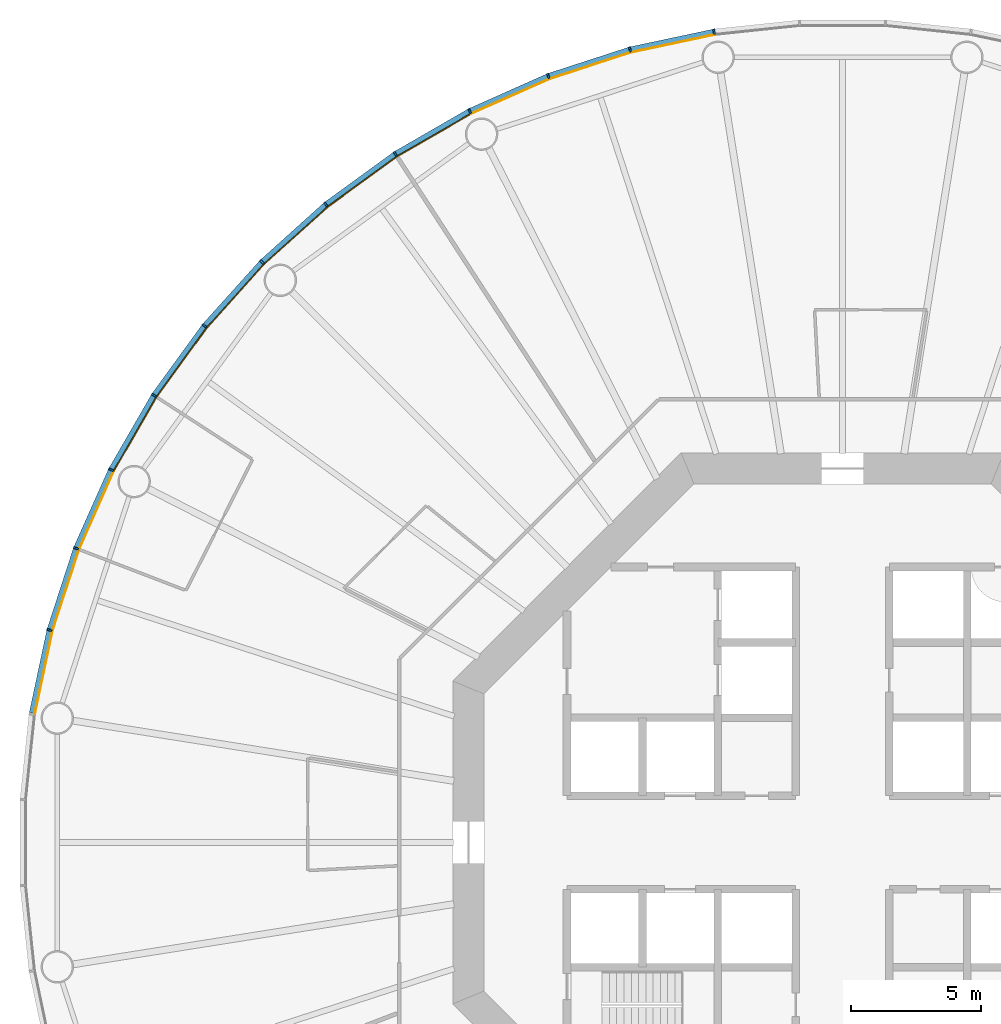
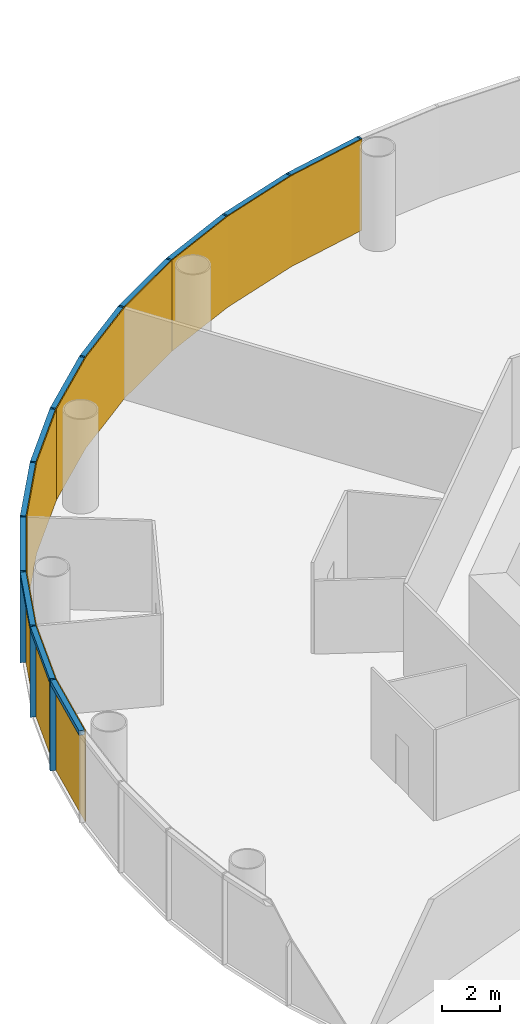
# One storey, part 10 of 13: 24 members, 4 curtain walls.
"""IFC4 building model written with IfcOpenShell, lengths in metres."""

from ifc_helpers import new_model, si_unit, direction, frame, origin, origin_2d, place, context, subcontext, project, spatial, polyline, rectangle, outline, extrude, material, layer, layer_set, material_profile, profile_set, type_object, element, aggregate, save


model = new_model("IFC4")

# Units and contexts
model_context = context("Model", 3, precision=1e-05, world=origin(), true_north=direction((0.0, 1.0)))
body_context = subcontext(model_context, "Body", "Model", "MODEL_VIEW")
ifc_project = project(units=[si_unit("LENGTHUNIT", "METRE"), si_unit("AREAUNIT", "SQUARE_METRE"), si_unit("VOLUMEUNIT", "CUBIC_METRE"), si_unit("PLANEANGLEUNIT", "RADIAN"), si_unit("MASSUNIT", "GRAM", prefix="KILO")], contexts=[model_context])

# Member
ifc_material_1 = material(Name="Anodised aluminium", Category="aluminium")
ifc_material_profile_1 = material_profile(ifc_material_1, rectangle(XDim=0.070068359375, YDim=0.199951171875, at=origin_2d()), Name="Mullion 70 x 200 mm anodised aluminium")
ifc_profile_set_1 = profile_set([ifc_material_profile_1], Name="Anodised aluminium")
member_type_1 = type_object("IfcMemberType", Name="Mullion 70 x 200 mm anodised aluminium", PredefinedType="MULLION", material=ifc_profile_set_1)
site_placement = place(None, origin())
building_placement = place(site_placement, origin())
storey_placement = place(building_placement, frame((0.0, 0.0, 104.0)))
member_1_placement = place(storey_placement, frame((85.056640625, 111.2109375, 0.0), z_axis=(0.0, 0.0, 1.0), x_axis=(-0.987688340595, -0.15643446504, 0.0)))
member_1 = element("IfcMember", 1, at=member_1_placement, type_object=member_type_1, Name="MULLION L23-15", PredefinedType="MULLION", context=body_context, shape_type="SweptSolid", body=[
    extrude(rectangle(XDim=0.070068359375, YDim=0.199951171875, at=origin_2d()), origin(), (0.0, 0.0, 1.0), 3.85009765625),
])

member_2_placement = place(storey_placement, frame((81.8212890625, 110.523193359375, 0.0), z_axis=(0.0, 0.0, 1.0), x_axis=(-0.965925826289, -0.258819045103, 0.0)))
member_2 = element("IfcMember", 2, at=member_2_placement, type_object=member_type_1, Name="MULLION L23-16", PredefinedType="MULLION", context=body_context, shape_type="SweptSolid", body=[
    extrude(rectangle(XDim=0.070068359375, YDim=0.199951171875, at=origin_2d()), origin(), (0.0, 0.0, 1.0), 3.85009765625),
])

member_3_placement = place(storey_placement, frame((78.675537109375, 109.501220703125, 0.0), z_axis=(0.0, 0.0, 1.0), x_axis=(-0.933580426497, -0.358367949545, 0.0)))
member_3 = element("IfcMember", 3, at=member_3_placement, type_object=member_type_1, Name="MULLION L23-17", PredefinedType="MULLION", context=body_context, shape_type="SweptSolid", body=[
    extrude(rectangle(XDim=0.070068359375, YDim=0.199951171875, at=origin_2d()), origin(), (0.0, 0.0, 1.0), 3.85009765625),
])

member_4_placement = place(storey_placement, frame((75.65380859375, 108.15576171875, 0.0), z_axis=(0.0, 0.0, 1.0), x_axis=(-0.891006524188, -0.45399049974, 0.0)))
member_4 = element("IfcMember", 4, at=member_4_placement, type_object=member_type_1, Name="MULLION L23-18", PredefinedType="MULLION", context=body_context, shape_type="SweptSolid", body=[
    extrude(rectangle(XDim=0.070068359375, YDim=0.199951171875, at=origin_2d()), origin(), (0.0, 0.0, 1.0), 3.85009765625),
])

member_5_placement = place(storey_placement, frame((72.789306640625, 106.501953125, 0.0), z_axis=(0.0, 0.0, 1.0), x_axis=(-0.838670567945, -0.544639035015, 0.0)))
member_5 = element("IfcMember", 5, at=member_5_placement, type_object=member_type_1, Name="MULLION L23-19", PredefinedType="MULLION", context=body_context, shape_type="SweptSolid", body=[
    extrude(rectangle(XDim=0.070068359375, YDim=0.199951171875, at=origin_2d()), origin(), (0.0, 0.0, 1.0), 3.85009765625),
])

member_6_placement = place(storey_placement, frame((70.113525390625, 104.557861328125, 0.0), z_axis=(0.0, 0.0, 1.0), x_axis=(-0.777145961457, -0.62932039105, 0.0)))
member_6 = element("IfcMember", 6, at=member_6_placement, type_object=member_type_1, Name="MULLION L23-20", PredefinedType="MULLION", context=body_context, shape_type="SweptSolid", body=[
    extrude(rectangle(XDim=0.070068359375, YDim=0.199951171875, at=origin_2d()), origin(), (0.0, 0.0, 1.0), 3.85009765625),
])

member_7_placement = place(storey_placement, frame((67.655517578125, 102.344482421875, 0.0), z_axis=(0.0, 0.0, 1.0), x_axis=(-0.707106781187, -0.707106781187, 0.0)))
member_7 = element("IfcMember", 7, at=member_7_placement, type_object=member_type_1, Name="MULLION L23-21", PredefinedType="MULLION", context=body_context, shape_type="SweptSolid", body=[
    extrude(rectangle(XDim=0.070068359375, YDim=0.199951171875, at=origin_2d()), origin(), (0.0, 0.0, 1.0), 3.85009765625),
])

member_8_placement = place(storey_placement, frame((65.442138671875, 99.886474609375, 0.0), z_axis=(0.0, 0.0, 1.0), x_axis=(-0.62932039105, -0.777145961457, 0.0)))
member_8 = element("IfcMember", 8, at=member_8_placement, type_object=member_type_1, Name="MULLION L23-22", PredefinedType="MULLION", context=body_context, shape_type="SweptSolid", body=[
    extrude(rectangle(XDim=0.070068359375, YDim=0.199951171875, at=origin_2d()), origin(), (0.0, 0.0, 1.0), 3.85009765625),
])

member_9_placement = place(storey_placement, frame((63.498046875, 97.210693359375, 0.0), z_axis=(0.0, 0.0, 1.0), x_axis=(-0.544639035015, -0.838670567945, 0.0)))
member_9 = element("IfcMember", 9, at=member_9_placement, type_object=member_type_1, Name="MULLION L23-23", PredefinedType="MULLION", context=body_context, shape_type="SweptSolid", body=[
    extrude(rectangle(XDim=0.070068359375, YDim=0.199951171875, at=origin_2d()), origin(), (0.0, 0.0, 1.0), 3.85009765625),
])

member_10_placement = place(storey_placement, frame((61.84423828125, 94.34619140625, 0.0), z_axis=(0.0, 0.0, 1.0), x_axis=(-0.45399049974, -0.891006524188, 0.0)))
member_10 = element("IfcMember", 10, at=member_10_placement, type_object=member_type_1, Name="MULLION L23-24", PredefinedType="MULLION", context=body_context, shape_type="SweptSolid", body=[
    extrude(rectangle(XDim=0.070068359375, YDim=0.199951171875, at=origin_2d()), origin(), (0.0, 0.0, 1.0), 3.85009765625),
])

member_11_placement = place(storey_placement, frame((60.498779296875, 91.324462890625, 0.0), z_axis=(0.0, 0.0, 1.0), x_axis=(-0.358367949545, -0.933580426497, 0.0)))
member_11 = element("IfcMember", 11, at=member_11_placement, type_object=member_type_1, Name="MULLION L23-25", PredefinedType="MULLION", context=body_context, shape_type="SweptSolid", body=[
    extrude(rectangle(XDim=0.070068359375, YDim=0.199951171875, at=origin_2d()), origin(), (0.0, 0.0, 1.0), 3.85009765625),
])

member_12_placement = place(storey_placement, frame((59.476806640625, 88.1787109375, 0.0), z_axis=(0.0, 0.0, 1.0), x_axis=(-0.258819045103, -0.965925826289, 0.0)))
member_12 = element("IfcMember", 12, at=member_12_placement, type_object=member_type_1, Name="MULLION L23-26", PredefinedType="MULLION", context=body_context, shape_type="SweptSolid", body=[
    extrude(rectangle(XDim=0.070068359375, YDim=0.199951171875, at=origin_2d()), origin(), (0.0, 0.0, 1.0), 3.85009765625),
])

ifc_material_2 = material(Name="Anodised aluminium", Category="aluminium")
ifc_material_profile_2 = material_profile(ifc_material_2, rectangle(XDim=0.199951171875, YDim=0.18994140625, at=origin_2d()), Name="Transom 190 x 200 mm anodised aluminium")
ifc_profile_set_2 = profile_set([ifc_material_profile_2], Name="Anodised aluminium")
member_type_2 = type_object("IfcMemberType", Name="Transom 190 x 200 mm anodised aluminium", PredefinedType="USERDEFINED", material=ifc_profile_set_2)
member_13_placement = place(storey_placement, frame((85.017333984375, 111.20263671875, 3.7548828125), z_axis=(-0.978153082647, -0.207885898771, 0.0), x_axis=(0.207885898771, -0.978153082647, 0.0)))
member_13 = element("IfcMember", 13, at=member_13_placement, type_object=member_type_2, Name="TRANSOM L23-15", ObjectType="TRANSOM", PredefinedType="USERDEFINED", context=body_context, shape_type="SweptSolid", body=[
    extrude(rectangle(XDim=0.199951171875, YDim=0.18994140625, at=origin_2d()), origin(), (0.0, 0.0, 1.0), 3.227294921875),
])

member_14_placement = place(storey_placement, frame((81.782958984375, 110.510986328125, 3.7548828125), z_axis=(-0.951046855117, -0.309046726844, 0.0), x_axis=(0.309046726844, -0.951046855117, 0.0)))
member_14 = element("IfcMember", 14, at=member_14_placement, type_object=member_type_2, Name="TRANSOM L23-16", ObjectType="TRANSOM", PredefinedType="USERDEFINED", context=body_context, shape_type="SweptSolid", body=[
    extrude(rectangle(XDim=0.199951171875, YDim=0.18994140625, at=origin_2d()), origin(), (0.0, 0.0, 1.0), 3.22705078125),
])

member_15_placement = place(storey_placement, frame((78.638671875, 109.48486328125, 3.7548828125), z_axis=(-0.913549291349, -0.406728032322, 0.0), x_axis=(0.406728032322, -0.913549291349, 0.0)))
member_15 = element("IfcMember", 15, at=member_15_placement, type_object=member_type_2, Name="TRANSOM L23-17", ObjectType="TRANSOM", PredefinedType="USERDEFINED", context=body_context, shape_type="SweptSolid", body=[
    extrude(rectangle(XDim=0.199951171875, YDim=0.18994140625, at=origin_2d()), origin(), (0.0, 0.0, 1.0), 3.22705078125),
])

member_16_placement = place(storey_placement, frame((75.618896484375, 108.1357421875, 3.7548828125), z_axis=(-0.866023062494, -0.500004055213, 0.0), x_axis=(0.500004055213, -0.866023062494, 0.0)))
member_16 = element("IfcMember", 16, at=member_16_placement, type_object=member_type_2, Name="TRANSOM L23-18", ObjectType="TRANSOM", PredefinedType="USERDEFINED", context=body_context, shape_type="SweptSolid", body=[
    extrude(rectangle(XDim=0.199951171875, YDim=0.18994140625, at=origin_2d()), origin(), (0.0, 0.0, 1.0), 3.22705078125),
])

member_17_placement = place(storey_placement, frame((72.7568359375, 106.478515625, 3.7548828125), z_axis=(-0.809004252048, -0.587802790201, 0.0), x_axis=(0.587802790201, -0.809004252048, 0.0)))
member_17 = element("IfcMember", 17, at=member_17_placement, type_object=member_type_2, Name="TRANSOM L23-19", ObjectType="TRANSOM", PredefinedType="USERDEFINED", context=body_context, shape_type="SweptSolid", body=[
    extrude(rectangle(XDim=0.199951171875, YDim=0.18994140625, at=origin_2d()), origin(), (0.0, 0.0, 1.0), 3.227294921875),
])

member_18_placement = place(storey_placement, frame((70.08349609375, 104.531005859375, 3.7548828125), z_axis=(-0.743132370743, -0.669144438484, 0.0), x_axis=(0.669144438484, -0.743132370743, 0.0)))
member_18 = element("IfcMember", 18, at=member_18_placement, type_object=member_type_2, Name="TRANSOM L23-20", ObjectType="TRANSOM", PredefinedType="USERDEFINED", context=body_context, shape_type="SweptSolid", body=[
    extrude(rectangle(XDim=0.199951171875, YDim=0.18994140625, at=origin_2d()), origin(), (0.0, 0.0, 1.0), 3.22705078125),
])

member_19_placement = place(storey_placement, frame((67.62841796875, 102.314697265625, 3.7548828125), z_axis=(-0.669144438484, -0.743132370743, 0.0), x_axis=(0.743132370743, -0.669144438484, 0.0)))
member_19 = element("IfcMember", 19, at=member_19_placement, type_object=member_type_2, Name="TRANSOM L23-21", ObjectType="TRANSOM", PredefinedType="USERDEFINED", context=body_context, shape_type="SweptSolid", body=[
    extrude(rectangle(XDim=0.199951171875, YDim=0.18994140625, at=origin_2d()), origin(), (0.0, 0.0, 1.0), 3.22705078125),
])

member_20_placement = place(storey_placement, frame((65.41845703125, 99.85400390625, 3.7548828125), z_axis=(-0.587802790201, -0.809004252048, 0.0), x_axis=(0.809004252048, -0.587802790201, 0.0)))
member_20 = element("IfcMember", 20, at=member_20_placement, type_object=member_type_2, Name="TRANSOM L23-22", ObjectType="TRANSOM", PredefinedType="USERDEFINED", context=body_context, shape_type="SweptSolid", body=[
    extrude(rectangle(XDim=0.199951171875, YDim=0.18994140625, at=origin_2d()), origin(), (0.0, 0.0, 1.0), 3.227294921875),
])

member_21_placement = place(storey_placement, frame((63.477783203125, 97.17578125, 3.7548828125), z_axis=(-0.500004055213, -0.866023062494, 0.0), x_axis=(0.866023062494, -0.500004055213, 0.0)))
member_21 = element("IfcMember", 21, at=member_21_placement, type_object=member_type_2, Name="TRANSOM L23-23", ObjectType="TRANSOM", PredefinedType="USERDEFINED", context=body_context, shape_type="SweptSolid", body=[
    extrude(rectangle(XDim=0.199951171875, YDim=0.18994140625, at=origin_2d()), origin(), (0.0, 0.0, 1.0), 3.22705078125),
])

member_22_placement = place(storey_placement, frame((61.82763671875, 94.309326171875, 3.7548828125), z_axis=(-0.406728032322, -0.913549291349, 0.0), x_axis=(0.913549291349, -0.406728032322, 0.0)))
member_22 = element("IfcMember", 22, at=member_22_placement, type_object=member_type_2, Name="TRANSOM L23-24", ObjectType="TRANSOM", PredefinedType="USERDEFINED", context=body_context, shape_type="SweptSolid", body=[
    extrude(rectangle(XDim=0.199951171875, YDim=0.18994140625, at=origin_2d()), origin(), (0.0, 0.0, 1.0), 3.22705078125),
])

member_23_placement = place(storey_placement, frame((60.486328125, 91.2861328125, 3.7548828125), z_axis=(-0.309046726844, -0.951046855117, 0.0), x_axis=(0.951046855117, -0.309046726844, 0.0)))
member_23 = element("IfcMember", 23, at=member_23_placement, type_object=member_type_2, Name="TRANSOM L23-25", ObjectType="TRANSOM", PredefinedType="USERDEFINED", context=body_context, shape_type="SweptSolid", body=[
    extrude(rectangle(XDim=0.199951171875, YDim=0.18994140625, at=origin_2d()), origin(), (0.0, 0.0, 1.0), 3.22705078125),
])

member_24_placement = place(storey_placement, frame((59.46826171875, 88.139404296875, 3.7548828125), z_axis=(-0.207885898771, -0.978153082647, 0.0), x_axis=(0.978153082647, -0.207885898771, 0.0)))
member_24 = element("IfcMember", 24, at=member_24_placement, type_object=member_type_2, Name="TRANSOM L23-26", ObjectType="TRANSOM", PredefinedType="USERDEFINED", context=body_context, shape_type="SweptSolid", body=[
    extrude(rectangle(XDim=0.199951171875, YDim=0.18994140625, at=origin_2d()), origin(), (0.0, 0.0, 1.0), 3.227294921875),
])

# Site, building, storey
site = spatial("IfcSite", under=ifc_project, at=site_placement, CompositionType="ELEMENT")
building = spatial("IfcBuilding", under=site, at=building_placement, Name="Entoto Ring Tower", CompositionType="ELEMENT")
storey = spatial("IfcBuildingStorey", under=building, at=storey_placement, Name="L23", CompositionType="ELEMENT", Elevation=104.0)

# Curtain wall
ifc_material_3 = material(Name="Clear low-iron glass", Category="glass")
ifc_layer = layer(ifc_material_3, 0.035888671875)
ifc_layer_set = layer_set([ifc_layer], Name="Clear low-iron glass")
curtain_wall_type = type_object("IfcCurtainWallType", Name="Curtain wall system CW2 glazing 36 mm", PredefinedType="NOTDEFINED", material=ifc_layer_set)
curtain_wall_1_placement = place(storey_placement, origin())
curtain_wall_1 = element("IfcCurtainWall", 25, at=curtain_wall_1_placement, inside=storey, type_object=curtain_wall_type, Name="CW2 L23-06", PredefinedType="NOTDEFINED", context=body_context, shape_type="SweptSolid", body=[
    extrude(outline(polyline([(85.072265625, 111.1123046875), (81.84716796875, 110.4267578125), (78.71142578125, 109.40771484375), (75.69921875, 108.066650390625), (75.715576171875, 108.03466796875), (78.724365234375, 109.3740234375), (81.8564453125, 110.391845703125), (85.077880859375, 111.07666015625), (85.072265625, 111.1123046875)])), origin(), (0.0, 0.0, 1.0), 3.85009765625),
])

aggregate(curtain_wall_1, [member_1, member_2, member_3, member_13, member_14, member_15])

curtain_wall_2_placement = place(storey_placement, origin())
curtain_wall_2 = element("IfcCurtainWall", 26, at=curtain_wall_2_placement, inside=storey, type_object=curtain_wall_type, Name="CW2 L23-07", PredefinedType="NOTDEFINED", context=body_context, shape_type="SweptSolid", body=[
    extrude(outline(polyline([(75.69921875, 108.066650390625), (72.84375, 106.418212890625), (70.176513671875, 104.47998046875), (67.72607421875, 102.27392578125), (67.751708984375, 102.248291015625), (70.198974609375, 104.4521484375), (72.863525390625, 106.387939453125), (75.715576171875, 108.03466796875), (75.69921875, 108.066650390625)])), origin(), (0.0, 0.0, 1.0), 3.85009765625),
])

aggregate(curtain_wall_2, [member_4, member_5, member_6, member_16, member_17, member_18])

curtain_wall_3_placement = place(storey_placement, origin())
curtain_wall_3 = element("IfcCurtainWall", 27, at=curtain_wall_3_placement, inside=storey, type_object=curtain_wall_type, Name="CW2 L23-08", PredefinedType="NOTDEFINED", context=body_context, shape_type="SweptSolid", body=[
    extrude(outline(polyline([(67.72607421875, 102.27392578125), (65.52001953125, 99.823486328125), (63.581787109375, 97.15625), (61.933349609375, 94.30078125), (61.96533203125, 94.284423828125), (63.612060546875, 97.136474609375), (65.5478515625, 99.801025390625), (67.751708984375, 102.248291015625), (67.72607421875, 102.27392578125)])), origin(), (0.0, 0.0, 1.0), 3.85009765625),
])

aggregate(curtain_wall_3, [member_7, member_8, member_9, member_19, member_20, member_21])

curtain_wall_4_placement = place(storey_placement, origin())
curtain_wall_4 = element("IfcCurtainWall", 28, at=curtain_wall_4_placement, inside=storey, type_object=curtain_wall_type, Name="CW2 L23-09", PredefinedType="NOTDEFINED", context=body_context, shape_type="SweptSolid", body=[
    extrude(outline(polyline([(61.933349609375, 94.30078125), (60.59228515625, 91.28857421875), (59.5732421875, 88.15283203125), (58.8876953125, 84.927734375), (58.92333984375, 84.922119140625), (59.608154296875, 88.1435546875), (60.6259765625, 91.275634765625), (61.96533203125, 94.284423828125), (61.933349609375, 94.30078125)])), origin(), (0.0, 0.0, 1.0), 3.85009765625),
])

aggregate(curtain_wall_4, [member_10, member_11, member_12, member_22, member_23, member_24])

save(model, "model.ifc")
